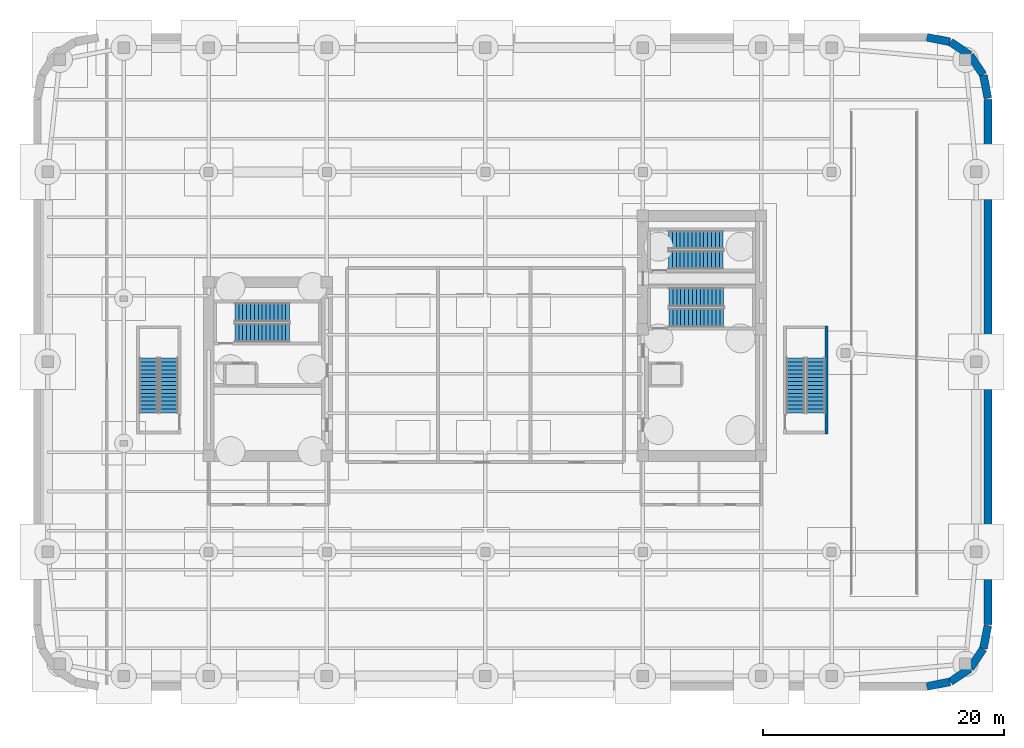
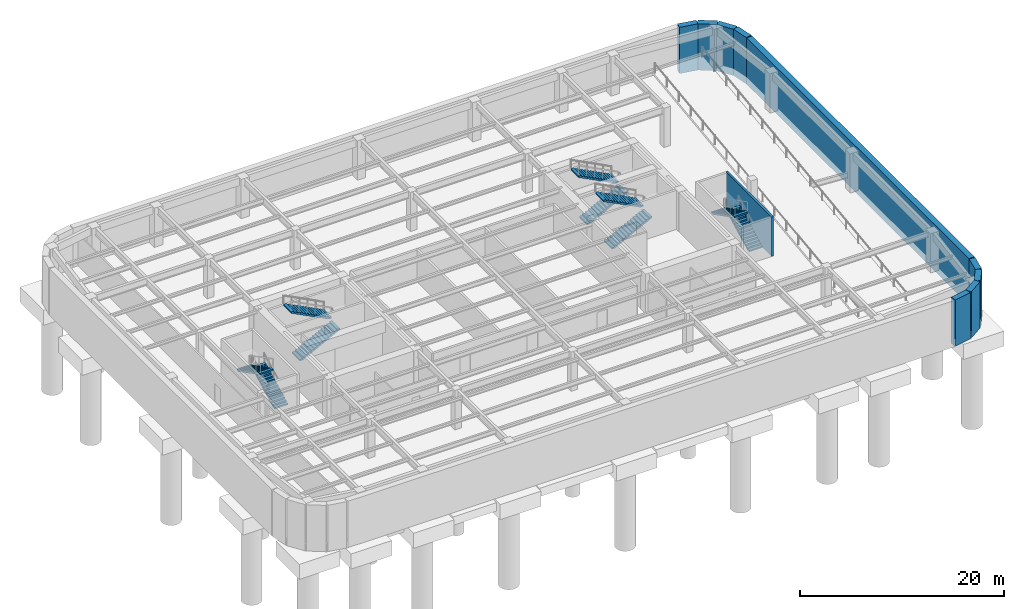
# One storey, part 8 of 14: 10 stair flights, 10 walls, 5 elements without a shape of their own.
"""IFC4 building model written with IfcOpenShell, lengths in metres."""

import ifcopenshell
import ifcopenshell.guid

model = None  # the IFC model being written
_history = None  # IfcOwnerHistory: only IFC2X3 demands one
_inside = {}  # id of a spatial element -> (the spatial element, [elements in it])
_under = {}  # id of a project, library or spatial element -> (it, [spatial elements below it])
_declared = {}  # id of a project -> (the project, [libraries it declares])
_typed = {}  # id of a type object -> (the type object, [elements of that type])
_made_of = {}  # id of a material, layer set ... -> (it, [elements and type objects made of it])


def new_model(schema):
    """Start an empty IFC model of exactly this schema.

    Asked for "IFC4X3", IfcOpenShell would pick the latest addendum, in which some entities
    have other attributes; the version numbers below select the first issue.
    IFC2X3 requires an IfcOwnerHistory on every rooted entity: one is made here for all.
    """
    global model, _history
    if schema == "IFC4X3":
        model = ifcopenshell.file(schema_version=(4, 3, 0, 0))
    else:
        model = ifcopenshell.file(schema=schema)
    _inside.clear()
    _under.clear()
    _declared.clear()
    _typed.clear()
    _made_of.clear()
    _history = None
    if model.schema == "IFC2X3":
        org = make("IfcOrganization", Name="unknown")
        user = make(
            "IfcPersonAndOrganization",
            ThePerson=make("IfcPerson", FamilyName="unknown"),
            TheOrganization=org,
        )
        app = make(
            "IfcApplication",
            ApplicationDeveloper=org,
            Version="unknown",
            ApplicationFullName="unknown",
            ApplicationIdentifier="unknown",
        )
        _history = make(
            "IfcOwnerHistory",
            OwningUser=user,
            OwningApplication=app,
            ChangeAction="ADDED",
            CreationDate=0,
        )
    return model


def make(cls, **values):
    """One entity of the class cls with the attributes given. An attribute that is None is left unset."""
    return model.create_entity(
        cls, **{name: value for name, value in values.items() if value is not None}
    )


def rooted(cls, **values):
    """An entity with a GlobalId (a new one), such as an element, a storey or a relation."""
    return make(cls, GlobalId=ifcopenshell.guid.new(), OwnerHistory=_history, **values)


def si_unit(unit_type, name, prefix=None):
    """IfcSIUnit, for example si_unit("LENGTHUNIT", "METRE", prefix="MILLI")."""
    return make("IfcSIUnit", UnitType=unit_type, Prefix=prefix, Name=name)


def assignment(units):
    """IfcUnitAssignment: the units of a project."""
    return None if units is None else make("IfcUnitAssignment", Units=units)


def point(xyz):
    """IfcCartesianPoint."""
    return None if xyz is None else make("IfcCartesianPoint", Coordinates=xyz)


def direction(xyz):
    """IfcDirection."""
    return None if xyz is None else make("IfcDirection", DirectionRatios=xyz)


def frame(location, z_axis=None, x_axis=None):
    """IfcAxis2Placement3D, a coordinate frame: its origin and axes. An axis left out is left unset."""
    return make(
        "IfcAxis2Placement3D",
        Location=point(location),
        Axis=direction(z_axis),
        RefDirection=direction(x_axis),
    )


def frame_2d(location, x_axis=None):
    """IfcAxis2Placement2D, a coordinate frame in the plane: its origin and x axis."""
    return make(
        "IfcAxis2Placement2D", Location=point(location), RefDirection=direction(x_axis)
    )


def origin():
    """The frame at (0, 0, 0) with its axes left unset."""
    return frame((0.0, 0.0, 0.0))


def place(relative_to, where):
    """IfcLocalPlacement: puts the frame where relative to a parent placement (None: the world)."""
    return make(
        "IfcLocalPlacement", PlacementRelTo=relative_to, RelativePlacement=where
    )


def context(
    kind, dimensions, precision=None, world=None, true_north=None, identifier=None
):
    """IfcGeometricRepresentationContext, for example the 3D "Model" context."""
    return make(
        "IfcGeometricRepresentationContext",
        ContextIdentifier=identifier,
        ContextType=kind,
        CoordinateSpaceDimension=dimensions,
        Precision=precision,
        WorldCoordinateSystem=world,
        TrueNorth=true_north,
    )


def subcontext(parent, identifier, kind, view, scale=None):
    """IfcGeometricRepresentationSubContext, for example "Body" below "Model"."""
    return make(
        "IfcGeometricRepresentationSubContext",
        ContextIdentifier=identifier,
        ContextType=kind,
        ParentContext=parent,
        TargetScale=scale,
        TargetView=view,
    )


def project(units=None, contexts=None):
    """IfcProject with its units and contexts."""
    return rooted(
        "IfcProject",
        Name="project",
        RepresentationContexts=contexts,
        UnitsInContext=assignment(units),
    )


def spatial(cls, under=None, at=None, **own):
    """A site, building, storey or space (cls), placed at a placement, below another one or the project."""
    s = rooted(cls, ObjectPlacement=at, **own)
    if under is not None:
        _under.setdefault(under.id(), (under, []))[1].append(s)
    return s


def polyline(points):
    """IfcPolyline through the points."""
    return make("IfcPolyline", Points=[point(p) for p in points])


def profile(cls, at=None, kind="AREA", **sizes):
    """A parametric profile (cls). Its sizes go by their IFC names, for example OverallWidth=200.0."""
    return make(cls, ProfileType=kind, Position=at, **sizes)


def rectangle(**sizes):
    """IfcRectangleProfileDef."""
    return profile("IfcRectangleProfileDef", **sizes)


def outline(outer, holes=None, kind="AREA"):
    """IfcArbitraryClosedProfileDef: a profile drawn as a closed curve; with holes, ...WithVoids."""
    if holes is None:
        return make("IfcArbitraryClosedProfileDef", ProfileType=kind, OuterCurve=outer)
    return make(
        "IfcArbitraryProfileDefWithVoids",
        ProfileType=kind,
        OuterCurve=outer,
        InnerCurves=holes,
    )


def extrude(swept, where, along, depth):
    """IfcExtrudedAreaSolid: the profile swept, set in the frame where, extruded along a direction by depth."""
    return make(
        "IfcExtrudedAreaSolid",
        SweptArea=swept,
        Position=where,
        ExtrudedDirection=direction(along),
        Depth=depth,
    )


def shape(context_of_items, identifier, shape_type, items):
    """IfcShapeRepresentation: the items that make up one representation, for example the "Body"."""
    return make(
        "IfcShapeRepresentation",
        ContextOfItems=context_of_items,
        RepresentationIdentifier=identifier,
        RepresentationType=shape_type,
        Items=items,
    )


def material(Name=None, Category=None):
    """IfcMaterial."""
    return make("IfcMaterial", Name=Name, Category=Category)


def layer(
    of_material, thickness, ventilated=None, Name=None, Category=None, Priority=None
):
    """IfcMaterialLayer: one layer of a wall or slab, of a material (None: an air gap)."""
    return make(
        "IfcMaterialLayer",
        Material=of_material,
        LayerThickness=thickness,
        IsVentilated=ventilated,
        Name=Name,
        Category=Category,
        Priority=Priority,
    )


def layer_set(layers, Name=None):
    """IfcMaterialLayerSet."""
    return make("IfcMaterialLayerSet", MaterialLayers=layers, LayerSetName=Name)


def made_of(thing, what):
    """Note that an element or type object is made of a material, layer set ...; save() writes the relation."""
    if what is not None:
        _made_of.setdefault(what.id(), (what, []))[1].append(thing)
    return thing


def type_object(cls, material=None, **own):
    """A type object (cls), such as IfcWallType, which elements share."""
    return made_of(rooted(cls, **own), material)


def element(
    cls,
    number,
    at=None,
    inside=None,
    cuts=None,
    type_object=None,
    material=None,
    context=None,
    identifier="Body",
    shape_type=None,
    held_by="IfcProductDefinitionShape",
    body=None,
    shapes=None,
    **own,
):
    """One element of the class cls, such as IfcWall. Its Tag is "e" and its number.

    at: its placement. inside: the storey or other place that contains it. cuts: it is an
    opening in that element (IfcRelVoidsElement). A single representation is given by context,
    identifier, shape_type and body (its items); several are given by shapes. held_by: the class
    of the entity that holds the representations. save() writes the other relations.
    """
    e = rooted(cls, Tag="e%d" % number, ObjectPlacement=at, **own)
    if body is not None:
        shapes = [shape(context, identifier, shape_type, body)]
    if shapes is not None:
        e.Representation = make(held_by, Representations=shapes)
    if inside is not None:
        _inside.setdefault(inside.id(), (inside, []))[1].append(e)
    if cuts is not None:
        rooted(
            "IfcRelVoidsElement", RelatingBuildingElement=cuts, RelatedOpeningElement=e
        )
    if type_object is not None:
        _typed.setdefault(type_object.id(), (type_object, []))[1].append(e)
    return made_of(e, material)


def aggregate(whole, parts):
    """IfcRelAggregates: a whole, such as a stair, and the parts it consists of."""
    return rooted("IfcRelAggregates", RelatingObject=whole, RelatedObjects=parts)


def save(model, path):
    """Write the relations noted so far, then the file.

    IfcRelAggregates (storeys below a building ...), IfcRelContainedInSpatialStructure (elements
    in a storey), IfcRelDefinesByType, IfcRelAssociatesMaterial and IfcRelDeclares: one each for
    every whole, place, type object, material and project.
    """
    for whole, parts in _under.values():
        aggregate(whole, parts)
    for where, things in _inside.values():
        rooted(
            "IfcRelContainedInSpatialStructure",
            RelatedElements=things,
            RelatingStructure=where,
        )
    for kind, things in _typed.values():
        rooted("IfcRelDefinesByType", RelatedObjects=things, RelatingType=kind)
    for what, things in _made_of.values():
        rooted("IfcRelAssociatesMaterial", RelatedObjects=things, RelatingMaterial=what)
    for by, libraries in _declared.values():
        rooted("IfcRelDeclares", RelatingContext=by, RelatedDefinitions=libraries)
    model.write(path)


model = new_model("IFC4")

# Units and contexts
model_context = context("Model", 3, precision=1e-05, world=origin(), true_north=direction((0.0, 1.0)))
body_context = subcontext(model_context, "Body", "Model", "MODEL_VIEW")
ifc_project = project(units=[si_unit("LENGTHUNIT", "METRE"), si_unit("AREAUNIT", "SQUARE_METRE"), si_unit("VOLUMEUNIT", "CUBIC_METRE"), si_unit("PLANEANGLEUNIT", "RADIAN"), si_unit("MASSUNIT", "GRAM", prefix="KILO")], contexts=[model_context])

# Site, building, storey
site_placement = place(None, origin())
site = spatial("IfcSite", under=ifc_project, at=site_placement, CompositionType="ELEMENT")
building_placement = place(site_placement, origin())
building = spatial("IfcBuilding", under=site, at=building_placement, Name="Kolvaren Arena Tower", CompositionType="ELEMENT")
storey_placement = place(building_placement, frame((0.0, 0.0, -10.0)))
storey = spatial("IfcBuildingStorey", under=building, at=storey_placement, Name="B02", CompositionType="ELEMENT", Elevation=-10.0)

# Walls
ifc_material_1 = material(Name="Concrete 50 MPa", Category="concrete")
ifc_layer_1 = layer(ifc_material_1, 0.64990234375)
ifc_layer_set_1 = layer_set([ifc_layer_1], Name="Concrete 50 MPa")
wall_type_1 = type_object("IfcWallType", Name="RWALL-650", PredefinedType="USERDEFINED", material=ifc_layer_set_1)
for number, where, z_axis, x_axis, name in (
    (1, (76.019775390625, 0.71337890625, -0.85009765625), (0.0, 0.0, 1.0), (-0.980754811029, -0.19524343944, 0.0), "Basement Perimeter Retaining Wall (B02)"),
    (2, (77.667236328125, 1.8046875, -0.85009765625), (0.0, 0.0, 1.0), (-0.831468126154, -0.555572457191, 0.0), "Basement Perimeter Retaining Wall (B02)"),
    (3, (78.771484375, 3.443359375, -0.85009765625), (0.0, 0.0, 1.0), (-0.555572457191, -0.831468126154, 0.0), "Basement Perimeter Retaining Wall (B02)"),
    (4, (79.164794921875, 5.3798828125, -0.85009765625), (0.0, 0.0, 1.0), (-0.19524343944, -0.980754811029, 0.0), "Basement Perimeter Retaining Wall (B02)"),
):
    element("IfcWall", number, at=place(storey_placement, frame(where, z_axis=z_axis, x_axis=x_axis)), inside=storey, type_object=wall_type_1, Name=name, ObjectType="RETAININGWALL", PredefinedType="USERDEFINED", context=body_context, shape_type="SweptSolid", body=[
        extrude(rectangle(XDim=1.93701171875, YDim=0.64990234375, at=frame_2d((0.968505859375, 0.0))), origin(), (0.0, 0.0, 1.0), 5.5400390625),
    ])
wall_1_placement = place(storey_placement, frame((79.175048828125, 49.014892578125, -0.85009765625), z_axis=(0.0, 0.0, 1.0), x_axis=(0.0, -1.0, 0.0)))
element("IfcWall", 5, at=wall_1_placement, inside=storey, type_object=wall_type_1, Name="Basement Perimeter Retaining Wall (B02)", ObjectType="RETAININGWALL", PredefinedType="USERDEFINED", context=body_context, shape_type="SweptSolid", body=[
    extrude(rectangle(XDim=43.52978515625, YDim=0.64990234375, at=frame_2d((21.764892578125, 0.0))), origin(), (0.0, 0.0, 1.0), 5.5400390625),
])
for number, where, z_axis, x_axis, name in (
    (6, (78.78662109375, 51.019775390625, -0.85009765625), (0.0, 0.0, 1.0), (0.19524343944, -0.980754811029, 0.0), "Basement Perimeter Retaining Wall (B02)"),
    (7, (77.6953125, 52.667236328125, -0.85009765625), (0.0, 0.0, 1.0), (0.555572457191, -0.831468126154, 0.0), "Basement Perimeter Retaining Wall (B02)"),
    (8, (76.056640625, 53.771484375, -0.85009765625), (0.0, 0.0, 1.0), (0.831468126154, -0.555572457191, 0.0), "Basement Perimeter Retaining Wall (B02)"),
    (9, (74.1201171875, 54.164794921875, -0.85009765625), (0.0, 0.0, 1.0), (0.980754811029, -0.19524343944, 0.0), "Basement Perimeter Retaining Wall (B02)"),
):
    element("IfcWall", number, at=place(storey_placement, frame(where, z_axis=z_axis, x_axis=x_axis)), inside=storey, type_object=wall_type_1, Name=name, ObjectType="RETAININGWALL", PredefinedType="USERDEFINED", context=body_context, shape_type="SweptSolid", body=[
        extrude(rectangle(XDim=1.93701171875, YDim=0.64990234375, at=frame_2d((0.968505859375, 0.0))), origin(), (0.0, 0.0, 1.0), 5.5400390625),
    ])
ifc_material_2 = material(Name="Concrete 45 MPa", Category="concrete")
ifc_layer_2 = layer(ifc_material_2, 0.25)
ifc_layer_set_2 = layer_set([ifc_layer_2], Name="Concrete 45 MPa")
wall_type_2 = type_object("IfcWallType", Name="SHAFT-250", PredefinedType="SOLIDWALL", material=ifc_layer_set_2)
wall_2_placement = place(storey_placement, frame((65.77001953125, 21.260009765625, 0.0), z_axis=(0.0, 0.0, 1.0), x_axis=(0.0, 1.0, 0.0)))
element("IfcWall", 10, at=wall_2_placement, inside=storey, type_object=wall_type_2, Name="Stair ST-B2 Rear Shaft Wall (B02)", PredefinedType="SOLIDWALL", context=body_context, shape_type="SweptSolid", body=[
    extrude(rectangle(XDim=8.97998046875, YDim=0.239990234375, at=frame_2d((4.489990234375, 0.0))), origin(), (0.0, 0.0, 1.0), 4.68994140625),
])

# Stair, stair flights
stair_type_1 = type_object("IfcStairType", Name="STAIR-BSMT-140", PredefinedType="HALF_TURN_STAIR", material=ifc_material_2)
stair_1_placement = place(storey_placement, origin())
stair_1 = element("IfcStair", 11, at=stair_1_placement, inside=storey, type_object=stair_type_1, Name="B02 ST-B1", PredefinedType="HALF_TURN_STAIR")
stair_flight_type_1 = type_object("IfcStairFlightType", Name="FLT-140", PredefinedType="STRAIGHT", material=ifc_material_2)
stair_flight_1_placement = place(storey_placement, frame((11.239990234375, 23.02001953125, 0.0), z_axis=(0.0, 0.0, 1.0), x_axis=(0.0, 1.0, 0.0)))
stair_flight_1 = element("IfcStairFlight", 12, at=stair_flight_1_placement, type_object=stair_flight_type_1, Name="ST-B1 flight 1", NumberOfRisers=15, NumberOfTreads=14, PredefinedType="STRAIGHT", RiserHeight=0.166666667, TreadLength=0.324, context=body_context, shape_type="SweptSolid", body=[
    extrude(outline(polyline([(0.0, 0.0), (0.0, 0.166748046875), (0.323974609375, 0.166748046875), (0.323974609375, 0.333251953125), (0.64794921875, 0.333251953125), (0.64794921875, 0.5), (0.971923828125, 0.5), (0.971923828125, 0.666748046875), (1.2958984375, 0.666748046875), (1.2958984375, 0.833251953125), (1.6201171875, 0.833251953125), (1.6201171875, 1.0), (1.944091796875, 1.0), (1.944091796875, 1.166748046875), (2.26806640625, 1.166748046875), (2.26806640625, 1.333251953125), (2.592041015625, 1.333251953125), (2.592041015625, 1.5), (2.916015625, 1.5), (2.916015625, 1.666748046875), (3.239990234375, 1.666748046875), (3.239990234375, 1.833251953125), (3.56396484375, 1.833251953125), (3.56396484375, 2.0), (3.887939453125, 2.0), (3.887939453125, 2.166748046875), (4.2119140625, 2.166748046875), (4.2119140625, 2.333251953125), (4.535888671875, 2.333251953125), (4.535888671875, 2.5), (4.535888671875, 2.164794921875), (0.32763671875, 0.0), (0.0, 0.0)])), frame((0.0, 0.760009765625, 0.0), z_axis=(0.0, -1.0, 0.0), x_axis=(1.0, 0.0, 0.0)), (0.0, 0.0, 1.0), 1.52001953125),
])
stair_flight_2_placement = place(storey_placement, frame((9.570068359375, 27.555908203125, 2.5), z_axis=(0.0, 0.0, 1.0), x_axis=(0.0, -1.0, 0.0)))
stair_flight_2 = element("IfcStairFlight", 13, at=stair_flight_2_placement, type_object=stair_flight_type_1, Name="ST-B1 flight 2", NumberOfRisers=15, NumberOfTreads=14, PredefinedType="STRAIGHT", RiserHeight=0.166666667, TreadLength=0.324, context=body_context, shape_type="SweptSolid", body=[
    extrude(outline(polyline([(0.0, 0.0), (0.0, 0.166748046875), (0.323974609375, 0.166748046875), (0.323974609375, 0.333251953125), (0.64794921875, 0.333251953125), (0.64794921875, 0.5), (0.971923828125, 0.5), (0.971923828125, 0.666748046875), (1.2958984375, 0.666748046875), (1.2958984375, 0.833251953125), (1.6201171875, 0.833251953125), (1.6201171875, 1.0), (1.944091796875, 1.0), (1.944091796875, 1.166748046875), (2.26806640625, 1.166748046875), (2.26806640625, 1.333251953125), (2.592041015625, 1.333251953125), (2.592041015625, 1.5), (2.916015625, 1.5), (2.916015625, 1.666748046875), (3.239990234375, 1.666748046875), (3.239990234375, 1.833251953125), (3.56396484375, 1.833251953125), (3.56396484375, 2.0), (3.887939453125, 2.0), (3.887939453125, 2.166748046875), (4.2119140625, 2.166748046875), (4.2119140625, 2.333251953125), (4.535888671875, 2.333251953125), (4.535888671875, 2.5), (4.535888671875, 2.164794921875), (0.32763671875, 0.0), (0.0, 0.0)])), frame((0.0, 0.760009765625, 0.0), z_axis=(0.0, -1.0, 0.0), x_axis=(1.0, 0.0, 0.0)), (0.0, 0.0, 1.0), 1.52001953125),
])
aggregate(stair_1, [stair_flight_1, stair_flight_2])

stair_2_placement = place(storey_placement, origin())
stair_2 = element("IfcStair", 14, at=stair_2_placement, inside=storey, type_object=stair_type_1, Name="B02 ST-B2", PredefinedType="HALF_TURN_STAIR")
stair_flight_3_placement = place(storey_placement, frame((64.889892578125, 23.02001953125, 0.0), z_axis=(0.0, 0.0, 1.0), x_axis=(0.0, 1.0, 0.0)))
stair_flight_3 = element("IfcStairFlight", 15, at=stair_flight_3_placement, type_object=stair_flight_type_1, Name="ST-B2 flight 1", NumberOfRisers=15, NumberOfTreads=14, PredefinedType="STRAIGHT", RiserHeight=0.166666667, TreadLength=0.324, context=body_context, shape_type="SweptSolid", body=[
    extrude(outline(polyline([(0.0, 0.0), (0.0, 0.166748046875), (0.323974609375, 0.166748046875), (0.323974609375, 0.333251953125), (0.64794921875, 0.333251953125), (0.64794921875, 0.5), (0.971923828125, 0.5), (0.971923828125, 0.666748046875), (1.2958984375, 0.666748046875), (1.2958984375, 0.833251953125), (1.6201171875, 0.833251953125), (1.6201171875, 1.0), (1.944091796875, 1.0), (1.944091796875, 1.166748046875), (2.26806640625, 1.166748046875), (2.26806640625, 1.333251953125), (2.592041015625, 1.333251953125), (2.592041015625, 1.5), (2.916015625, 1.5), (2.916015625, 1.666748046875), (3.239990234375, 1.666748046875), (3.239990234375, 1.833251953125), (3.56396484375, 1.833251953125), (3.56396484375, 2.0), (3.887939453125, 2.0), (3.887939453125, 2.166748046875), (4.2119140625, 2.166748046875), (4.2119140625, 2.333251953125), (4.535888671875, 2.333251953125), (4.535888671875, 2.5), (4.535888671875, 2.164794921875), (0.32763671875, 0.0), (0.0, 0.0)])), frame((0.0, 0.760009765625, 0.0), z_axis=(0.0, -1.0, 0.0), x_axis=(1.0, 0.0, 0.0)), (0.0, 0.0, 1.0), 1.52001953125),
])
stair_flight_4_placement = place(storey_placement, frame((63.219970703125, 27.555908203125, 2.5), z_axis=(0.0, 0.0, 1.0), x_axis=(0.0, -1.0, 0.0)))
stair_flight_4 = element("IfcStairFlight", 16, at=stair_flight_4_placement, type_object=stair_flight_type_1, Name="ST-B2 flight 2", NumberOfRisers=15, NumberOfTreads=14, PredefinedType="STRAIGHT", RiserHeight=0.166666667, TreadLength=0.324, context=body_context, shape_type="SweptSolid", body=[
    extrude(outline(polyline([(0.0, 0.0), (0.0, 0.166748046875), (0.323974609375, 0.166748046875), (0.323974609375, 0.333251953125), (0.64794921875, 0.333251953125), (0.64794921875, 0.5), (0.971923828125, 0.5), (0.971923828125, 0.666748046875), (1.2958984375, 0.666748046875), (1.2958984375, 0.833251953125), (1.6201171875, 0.833251953125), (1.6201171875, 1.0), (1.944091796875, 1.0), (1.944091796875, 1.166748046875), (2.26806640625, 1.166748046875), (2.26806640625, 1.333251953125), (2.592041015625, 1.333251953125), (2.592041015625, 1.5), (2.916015625, 1.5), (2.916015625, 1.666748046875), (3.239990234375, 1.666748046875), (3.239990234375, 1.833251953125), (3.56396484375, 1.833251953125), (3.56396484375, 2.0), (3.887939453125, 2.0), (3.887939453125, 2.166748046875), (4.2119140625, 2.166748046875), (4.2119140625, 2.333251953125), (4.535888671875, 2.333251953125), (4.535888671875, 2.5), (4.535888671875, 2.164794921875), (0.32763671875, 0.0), (0.0, 0.0)])), frame((0.0, 0.760009765625, 0.0), z_axis=(0.0, -1.0, 0.0), x_axis=(1.0, 0.0, 0.0)), (0.0, 0.0, 1.0), 1.52001953125),
])
aggregate(stair_2, [stair_flight_3, stair_flight_4])

stair_type_2 = type_object("IfcStairType", Name="STAIR-CORE-150", PredefinedType="HALF_TURN_STAIR", material=ifc_material_2)
stair_3_placement = place(storey_placement, origin())
stair_3 = element("IfcStair", 17, at=stair_3_placement, inside=storey, type_object=stair_type_2, Name="B02 ST-E2", PredefinedType="HALF_TURN_STAIR")
stair_flight_type_2 = type_object("IfcStairFlightType", Name="FLT-150", PredefinedType="STRAIGHT", material=ifc_material_2)
stair_flight_5_placement = place(storey_placement, frame((52.679931640625, 35.699951171875, 0.0), z_axis=(0.0, 0.0, 1.0), x_axis=(1.0, 0.0, 0.0)))
stair_flight_5 = element("IfcStairFlight", 18, at=stair_flight_5_placement, type_object=stair_flight_type_2, Name="ST-E2 flight 1", NumberOfRisers=15, NumberOfTreads=14, PredefinedType="STRAIGHT", RiserHeight=0.166666667, TreadLength=0.324, context=body_context, shape_type="SweptSolid", body=[
    extrude(outline(polyline([(0.0, 0.0), (0.0, 0.166748046875), (0.323974609375, 0.166748046875), (0.323974609375, 0.333251953125), (0.64794921875, 0.333251953125), (0.64794921875, 0.5), (0.971923828125, 0.5), (0.971923828125, 0.666748046875), (1.2958984375, 0.666748046875), (1.2958984375, 0.833251953125), (1.6201171875, 0.833251953125), (1.6201171875, 1.0), (1.944091796875, 1.0), (1.944091796875, 1.166748046875), (2.26806640625, 1.166748046875), (2.26806640625, 1.333251953125), (2.592041015625, 1.333251953125), (2.592041015625, 1.5), (2.916015625, 1.5), (2.916015625, 1.666748046875), (3.239990234375, 1.666748046875), (3.239990234375, 1.833251953125), (3.56396484375, 1.833251953125), (3.56396484375, 2.0), (3.887939453125, 2.0), (3.887939453125, 2.166748046875), (4.2119140625, 2.166748046875), (4.2119140625, 2.333251953125), (4.535888671875, 2.333251953125), (4.535888671875, 2.5), (4.535888671875, 2.164794921875), (0.32763671875, 0.0), (0.0, 0.0)])), frame((0.0, 0.75, 0.0), z_axis=(0.0, -1.0, 0.0), x_axis=(1.0, 0.0, 0.0)), (0.0, 0.0, 1.0), 1.5),
])
stair_flight_6_placement = place(storey_placement, frame((57.216064453125, 37.35009765625, 2.5), z_axis=(0.0, 0.0, 1.0), x_axis=(-1.0, 0.0, 0.0)))
stair_flight_6 = element("IfcStairFlight", 19, at=stair_flight_6_placement, type_object=stair_flight_type_2, Name="ST-E2 flight 2", NumberOfRisers=15, NumberOfTreads=14, PredefinedType="STRAIGHT", RiserHeight=0.166666667, TreadLength=0.324, context=body_context, shape_type="SweptSolid", body=[
    extrude(outline(polyline([(0.0, 0.0), (0.0, 0.166748046875), (0.323974609375, 0.166748046875), (0.323974609375, 0.333251953125), (0.64794921875, 0.333251953125), (0.64794921875, 0.5), (0.971923828125, 0.5), (0.971923828125, 0.666748046875), (1.2958984375, 0.666748046875), (1.2958984375, 0.833251953125), (1.6201171875, 0.833251953125), (1.6201171875, 1.0), (1.944091796875, 1.0), (1.944091796875, 1.166748046875), (2.26806640625, 1.166748046875), (2.26806640625, 1.333251953125), (2.592041015625, 1.333251953125), (2.592041015625, 1.5), (2.916015625, 1.5), (2.916015625, 1.666748046875), (3.239990234375, 1.666748046875), (3.239990234375, 1.833251953125), (3.56396484375, 1.833251953125), (3.56396484375, 2.0), (3.887939453125, 2.0), (3.887939453125, 2.166748046875), (4.2119140625, 2.166748046875), (4.2119140625, 2.333251953125), (4.535888671875, 2.333251953125), (4.535888671875, 2.5), (4.535888671875, 2.164794921875), (0.32763671875, 0.0), (0.0, 0.0)])), frame((0.0, 0.75, 0.0), z_axis=(0.0, -1.0, 0.0), x_axis=(1.0, 0.0, 0.0)), (0.0, 0.0, 1.0), 1.5),
])
aggregate(stair_3, [stair_flight_5, stair_flight_6])

stair_type_3 = type_object("IfcStairType", Name="STAIR-CORE-165", PredefinedType="HALF_TURN_STAIR", material=ifc_material_2)
stair_4_placement = place(storey_placement, origin())
stair_4 = element("IfcStair", 20, at=stair_4_placement, inside=storey, type_object=stair_type_3, Name="B02 ST-W1", PredefinedType="HALF_TURN_STAIR")
stair_flight_type_3 = type_object("IfcStairFlightType", Name="FLT-165", PredefinedType="STRAIGHT", material=ifc_material_2)
stair_flight_7_placement = place(storey_placement, frame((16.719970703125, 29.669921875, 0.0), z_axis=(0.0, 0.0, 1.0), x_axis=(1.0, 0.0, 0.0)))
stair_flight_7 = element("IfcStairFlight", 21, at=stair_flight_7_placement, type_object=stair_flight_type_3, Name="ST-W1 flight 1", NumberOfRisers=15, NumberOfTreads=14, PredefinedType="STRAIGHT", RiserHeight=0.166666667, TreadLength=0.324, context=body_context, shape_type="SweptSolid", body=[
    extrude(outline(polyline([(0.0, 0.0), (0.0, 0.166748046875), (0.323974609375, 0.166748046875), (0.323974609375, 0.333251953125), (0.64794921875, 0.333251953125), (0.64794921875, 0.5), (0.971923828125, 0.5), (0.971923828125, 0.666748046875), (1.2958984375, 0.666748046875), (1.2958984375, 0.833251953125), (1.6201171875, 0.833251953125), (1.6201171875, 1.0), (1.944091796875, 1.0), (1.944091796875, 1.166748046875), (2.26806640625, 1.166748046875), (2.26806640625, 1.333251953125), (2.592041015625, 1.333251953125), (2.592041015625, 1.5), (2.916015625, 1.5), (2.916015625, 1.666748046875), (3.239990234375, 1.666748046875), (3.239990234375, 1.833251953125), (3.56396484375, 1.833251953125), (3.56396484375, 2.0), (3.887939453125, 2.0), (3.887939453125, 2.166748046875), (4.2119140625, 2.166748046875), (4.2119140625, 2.333251953125), (4.535888671875, 2.333251953125), (4.535888671875, 2.5), (4.535888671875, 2.164794921875), (0.32763671875, 0.0), (0.0, 0.0)])), frame((0.0, 0.77001953125, 0.0), z_axis=(0.0, -1.0, 0.0), x_axis=(1.0, 0.0, 0.0)), (0.0, 0.0, 1.0), 1.5400390625),
])
stair_flight_8_placement = place(storey_placement, frame((21.256103515625, 31.360107421875, 2.5), z_axis=(0.0, 0.0, 1.0), x_axis=(-1.0, 0.0, 0.0)))
stair_flight_8 = element("IfcStairFlight", 22, at=stair_flight_8_placement, type_object=stair_flight_type_3, Name="ST-W1 flight 2", NumberOfRisers=15, NumberOfTreads=14, PredefinedType="STRAIGHT", RiserHeight=0.166666667, TreadLength=0.324, context=body_context, shape_type="SweptSolid", body=[
    extrude(outline(polyline([(0.0, 0.0), (0.0, 0.166748046875), (0.323974609375, 0.166748046875), (0.323974609375, 0.333251953125), (0.64794921875, 0.333251953125), (0.64794921875, 0.5), (0.971923828125, 0.5), (0.971923828125, 0.666748046875), (1.2958984375, 0.666748046875), (1.2958984375, 0.833251953125), (1.6201171875, 0.833251953125), (1.6201171875, 1.0), (1.944091796875, 1.0), (1.944091796875, 1.166748046875), (2.26806640625, 1.166748046875), (2.26806640625, 1.333251953125), (2.592041015625, 1.333251953125), (2.592041015625, 1.5), (2.916015625, 1.5), (2.916015625, 1.666748046875), (3.239990234375, 1.666748046875), (3.239990234375, 1.833251953125), (3.56396484375, 1.833251953125), (3.56396484375, 2.0), (3.887939453125, 2.0), (3.887939453125, 2.166748046875), (4.2119140625, 2.166748046875), (4.2119140625, 2.333251953125), (4.535888671875, 2.333251953125), (4.535888671875, 2.5), (4.535888671875, 2.164794921875), (0.32763671875, 0.0), (0.0, 0.0)])), frame((0.0, 0.77001953125, 0.0), z_axis=(0.0, -1.0, 0.0), x_axis=(1.0, 0.0, 0.0)), (0.0, 0.0, 1.0), 1.5400390625),
])
aggregate(stair_4, [stair_flight_7, stair_flight_8])

stair_5_placement = place(storey_placement, origin())
stair_5 = element("IfcStair", 23, at=stair_5_placement, inside=storey, type_object=stair_type_3, Name="B02 ST-E1", PredefinedType="HALF_TURN_STAIR")
stair_flight_9_placement = place(storey_placement, frame((52.719970703125, 30.919921875, 0.0), z_axis=(0.0, 0.0, 1.0), x_axis=(1.0, 0.0, 0.0)))
stair_flight_9 = element("IfcStairFlight", 24, at=stair_flight_9_placement, type_object=stair_flight_type_3, Name="ST-E1 flight 1", NumberOfRisers=15, NumberOfTreads=14, PredefinedType="STRAIGHT", RiserHeight=0.166666667, TreadLength=0.324, context=body_context, shape_type="SweptSolid", body=[
    extrude(outline(polyline([(0.0, 0.0), (0.0, 0.166748046875), (0.323974609375, 0.166748046875), (0.323974609375, 0.333251953125), (0.64794921875, 0.333251953125), (0.64794921875, 0.5), (0.971923828125, 0.5), (0.971923828125, 0.666748046875), (1.2958984375, 0.666748046875), (1.2958984375, 0.833251953125), (1.6201171875, 0.833251953125), (1.6201171875, 1.0), (1.944091796875, 1.0), (1.944091796875, 1.166748046875), (2.26806640625, 1.166748046875), (2.26806640625, 1.333251953125), (2.592041015625, 1.333251953125), (2.592041015625, 1.5), (2.916015625, 1.5), (2.916015625, 1.666748046875), (3.239990234375, 1.666748046875), (3.239990234375, 1.833251953125), (3.56396484375, 1.833251953125), (3.56396484375, 2.0), (3.887939453125, 2.0), (3.887939453125, 2.166748046875), (4.2119140625, 2.166748046875), (4.2119140625, 2.333251953125), (4.535888671875, 2.333251953125), (4.535888671875, 2.5), (4.535888671875, 2.164794921875), (0.32763671875, 0.0), (0.0, 0.0)])), frame((0.0, 0.77001953125, 0.0), z_axis=(0.0, -1.0, 0.0), x_axis=(1.0, 0.0, 0.0)), (0.0, 0.0, 1.0), 1.5400390625),
])
stair_flight_10_placement = place(storey_placement, frame((57.256103515625, 32.610107421875, 2.5), z_axis=(0.0, 0.0, 1.0), x_axis=(-1.0, 0.0, 0.0)))
stair_flight_10 = element("IfcStairFlight", 25, at=stair_flight_10_placement, type_object=stair_flight_type_3, Name="ST-E1 flight 2", NumberOfRisers=15, NumberOfTreads=14, PredefinedType="STRAIGHT", RiserHeight=0.166666667, TreadLength=0.324, context=body_context, shape_type="SweptSolid", body=[
    extrude(outline(polyline([(0.0, 0.0), (0.0, 0.166748046875), (0.323974609375, 0.166748046875), (0.323974609375, 0.333251953125), (0.64794921875, 0.333251953125), (0.64794921875, 0.5), (0.971923828125, 0.5), (0.971923828125, 0.666748046875), (1.2958984375, 0.666748046875), (1.2958984375, 0.833251953125), (1.6201171875, 0.833251953125), (1.6201171875, 1.0), (1.944091796875, 1.0), (1.944091796875, 1.166748046875), (2.26806640625, 1.166748046875), (2.26806640625, 1.333251953125), (2.592041015625, 1.333251953125), (2.592041015625, 1.5), (2.916015625, 1.5), (2.916015625, 1.666748046875), (3.239990234375, 1.666748046875), (3.239990234375, 1.833251953125), (3.56396484375, 1.833251953125), (3.56396484375, 2.0), (3.887939453125, 2.0), (3.887939453125, 2.166748046875), (4.2119140625, 2.166748046875), (4.2119140625, 2.333251953125), (4.535888671875, 2.333251953125), (4.535888671875, 2.5), (4.535888671875, 2.164794921875), (0.32763671875, 0.0), (0.0, 0.0)])), frame((0.0, 0.77001953125, 0.0), z_axis=(0.0, -1.0, 0.0), x_axis=(1.0, 0.0, 0.0)), (0.0, 0.0, 1.0), 1.5400390625),
])
aggregate(stair_5, [stair_flight_9, stair_flight_10])

save(model, "model.ifc")
